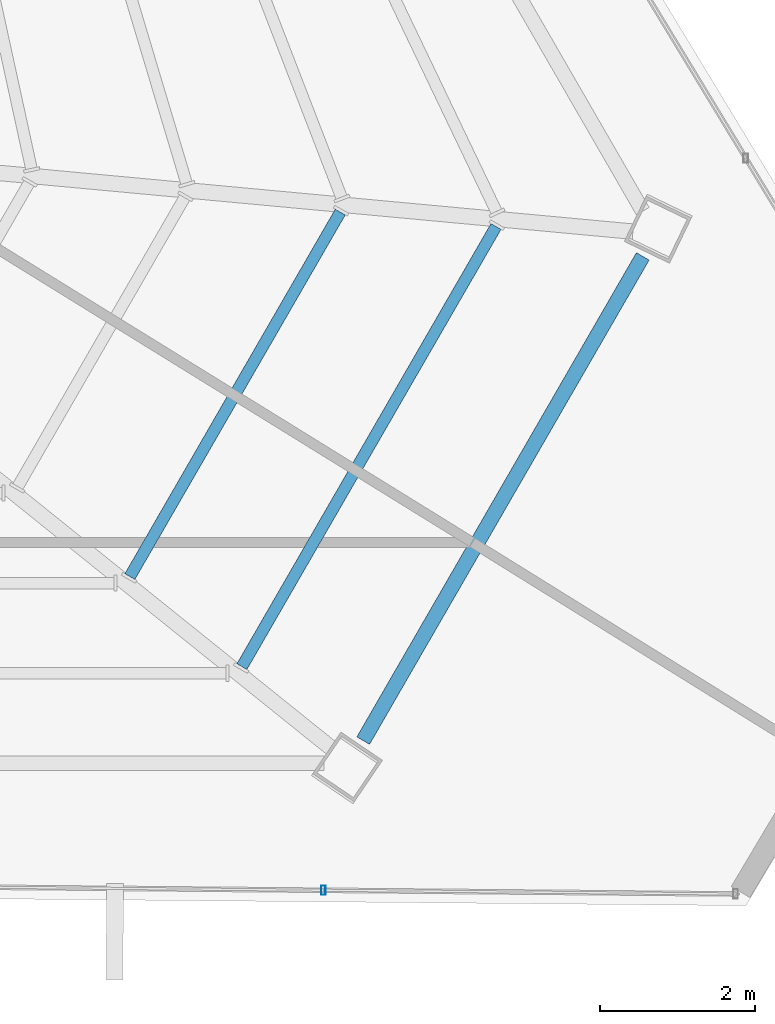
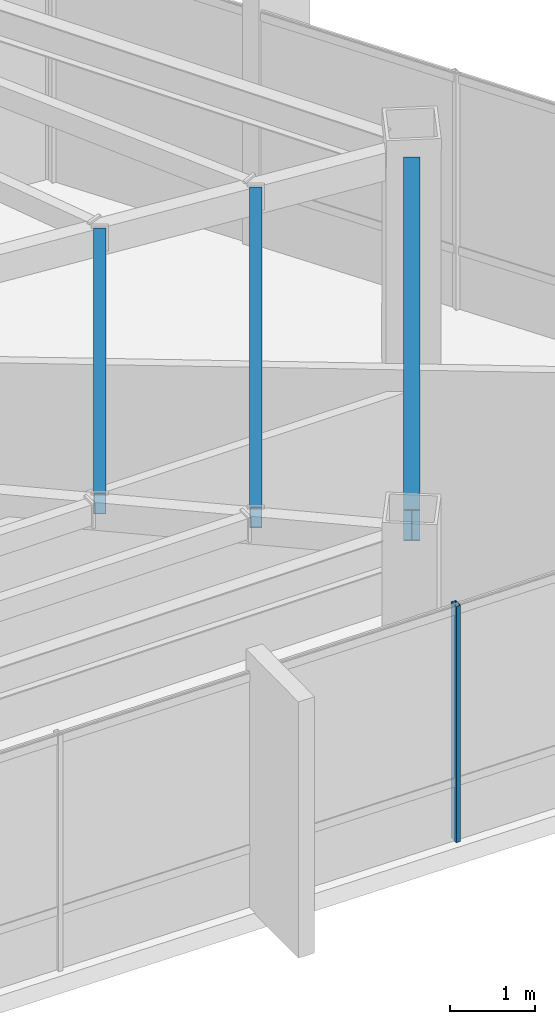
# One storey, part 23 of 47: 3 beams, 1 member, 1 element without a shape of its own.
"""IFC4 building model written with IfcOpenShell, lengths in metres."""

from ifc_helpers import new_model, si_unit, direction, frame, origin, origin_2d, place, context, subcontext, project, spatial, hollow_rectangle, i_section, extrude, source, transform, mapped, material, material_profile, profile_set, type_object, type_shapes, element, aggregate, save


model = new_model("IFC4")

# Units and contexts
model_context = context("Model", 3, precision=1e-05, world=origin(), true_north=direction((0.0, 1.0)))
body_context = subcontext(model_context, "Body", "Model", "MODEL_VIEW")
ifc_project = project(units=[si_unit("LENGTHUNIT", "METRE"), si_unit("AREAUNIT", "SQUARE_METRE"), si_unit("VOLUMEUNIT", "CUBIC_METRE"), si_unit("PLANEANGLEUNIT", "RADIAN"), si_unit("MASSUNIT", "GRAM", prefix="KILO")], contexts=[model_context])

# Site, building, storey
site_placement = place(None, origin())
site = spatial("IfcSite", under=ifc_project, at=site_placement, CompositionType="ELEMENT")
building_placement = place(site_placement, origin())
building = spatial("IfcBuilding", under=site, at=building_placement, Name="Caelisora Broadcast Tower", CompositionType="ELEMENT")
storey_placement = place(building_placement, frame((0.0, 0.0, 248.10009765625)))
storey = spatial("IfcBuildingStorey", under=building, at=storey_placement, Name="L65", CompositionType="ELEMENT", Elevation=248.10009765625)

# Beams
ifc_material_1 = material(Name="Steel Grade 350 (AS/NZS 3679.1)", Category="steel")
ifc_material_profile_1 = material_profile(ifc_material_1, i_section(OverallWidth=0.19091796875, OverallDepth=0.46044921875, WebThickness=0.010009765625, FlangeThickness=0.01611328125, at=origin_2d()), Name="Steel Grade 350 (AS/NZS 3679.1)")
ifc_profile_set_1 = profile_set([ifc_material_profile_1], Name="Steel Grade 350 (AS/NZS 3679.1)")
beam_type_1 = type_object("IfcBeamType", Name="PG06", PredefinedType="BEAM", material=ifc_profile_set_1)
shared_shape_1 = source(origin(), body_context, "Body", "SweptSolid", [
    extrude(i_section(OverallWidth=0.19091796875, OverallDepth=0.46044921875, WebThickness=0.010009765625, FlangeThickness=0.01611328125, at=origin_2d()), origin(), (0.0, 0.0, 1.0), 7.23828125),
])
type_shapes(beam_type_1, [shared_shape_1])
beam_1_placement = place(storey_placement, frame((55.8203125, 9.532470703125, 3.169677734375), z_axis=(0.499973551264, 0.866040673431, 0.0), x_axis=(-0.866040673431, 0.499973551264, 0.0)))
element("IfcBeam", 1, at=beam_1_placement, inside=storey, type_object=beam_type_1, Name="L65 beam PG06", PredefinedType="BEAM", context=body_context, shape_type="MappedRepresentation", body=[
    mapped(shared_shape_1, transform((0.0, 0.0, 0.0), scale=1.0)),
])
ifc_material_2 = material(Name="Steel Grade 350 (AS/NZS 1163 C350L0)", Category="steel")
ifc_material_profile_2 = material_profile(ifc_material_2, hollow_rectangle(XDim=0.14990234375, YDim=0.300048828125, WallThickness=0.010009765625, at=origin_2d()), Name="Steel Grade 350 (AS/NZS 1163 C350L0)")
ifc_profile_set_2 = profile_set([ifc_material_profile_2], Name="Steel Grade 350 (AS/NZS 1163 C350L0)")
beam_type_2 = type_object("IfcBeamType", Name="SB05", PredefinedType="JOIST", material=ifc_profile_set_2)
shared_shape_2 = source(origin(), body_context, "Body", "SweptSolid", [
    extrude(hollow_rectangle(XDim=0.14990234375, YDim=0.300048828125, WallThickness=0.010009765625, at=origin_2d()), origin(), (0.0, 0.0, 1.0), 5.44775390625),
])
beam_2_placement = place(storey_placement, frame((52.800048828125, 11.65625, 3.25), z_axis=(0.49995650799, 0.866050512452, 0.0), x_axis=(-0.866050512452, 0.49995650799, 0.0)))
element("IfcBeam", 2, at=beam_2_placement, inside=storey, type_object=beam_type_2, Name="L65 beam SB05", PredefinedType="JOIST", context=body_context, shape_type="MappedRepresentation", body=[
    mapped(shared_shape_2, transform((0.0, 0.0, 0.0), scale=1.0)),
])
shared_shape_3 = source(origin(), body_context, "Body", "SweptSolid", [
    extrude(hollow_rectangle(XDim=0.14990234375, YDim=0.300048828125, WallThickness=0.010009765625, at=origin_2d()), origin(), (0.0, 0.0, 1.0), 6.578369140625),
])
type_shapes(beam_type_2, [shared_shape_2, shared_shape_3])
beam_3_placement = place(storey_placement, frame((54.25, 10.490478515625, 3.25), z_axis=(0.500014792963, 0.866016862895, 0.0), x_axis=(-0.866016862895, 0.500014792963, 0.0)))
element("IfcBeam", 3, at=beam_3_placement, inside=storey, type_object=beam_type_2, Name="L65 beam SB05", PredefinedType="JOIST", context=body_context, shape_type="MappedRepresentation", body=[
    mapped(shared_shape_3, transform((0.0, 0.0, 0.0), scale=1.0)),
])

# Curtain wall, member
ifc_material_3 = material(Name="Unitised Aluminium and Low-E Glass Curtain Wall", Category="glass")
curtain_wall_type = type_object("IfcCurtainWallType", Name="CW-Z5", PredefinedType="NOTDEFINED", material=ifc_material_3)
curtain_wall_placement = place(storey_placement, origin())
curtain_wall = element("IfcCurtainWall", 4, at=curtain_wall_placement, inside=storey, type_object=curtain_wall_type, Name="L65 curtain wall CW-Z5", PredefinedType="NOTDEFINED")
ifc_material_4 = material(Name="Aluminium 6063-T6 Anodised Terracotta Bronze", Category="aluminium")
ifc_material_profile_3 = material_profile(ifc_material_4, hollow_rectangle(XDim=0.06005859375, YDim=0.1201171875, WallThickness=0.0029296875, at=origin_2d()), Name="Aluminium 6063-T6 Anodised Terracotta Bronze")
ifc_profile_set_3 = profile_set([ifc_material_profile_3], Name="Aluminium 6063-T6 Anodised Terracotta Bronze")
member_type = type_object("IfcMemberType", Name="CWM-04", PredefinedType="MULLION", material=ifc_profile_set_3)
shared_shape_4 = source(origin(), body_context, "Body", "SweptSolid", [
    extrude(hollow_rectangle(XDim=0.06005859375, YDim=0.1201171875, WallThickness=0.0029296875, at=origin_2d()), origin(), (0.0, 0.0, 1.0), 3.39990234375),
])
type_shapes(member_type, [shared_shape_4])
member_placement = place(storey_placement, frame((55.3046875, 7.595703125, 0.0), z_axis=(0.0, 0.0, 1.0), x_axis=(1.0, 0.0, 0.0)))
member = element("IfcMember", 5, at=member_placement, type_object=member_type, Name="L65-CW-B05 mullion #1", PredefinedType="MULLION", context=body_context, shape_type="MappedRepresentation", body=[
    mapped(shared_shape_4, transform((0.0, 0.0, 0.0), scale=1.0)),
])
aggregate(curtain_wall, [member])

save(model, "model.ifc")
